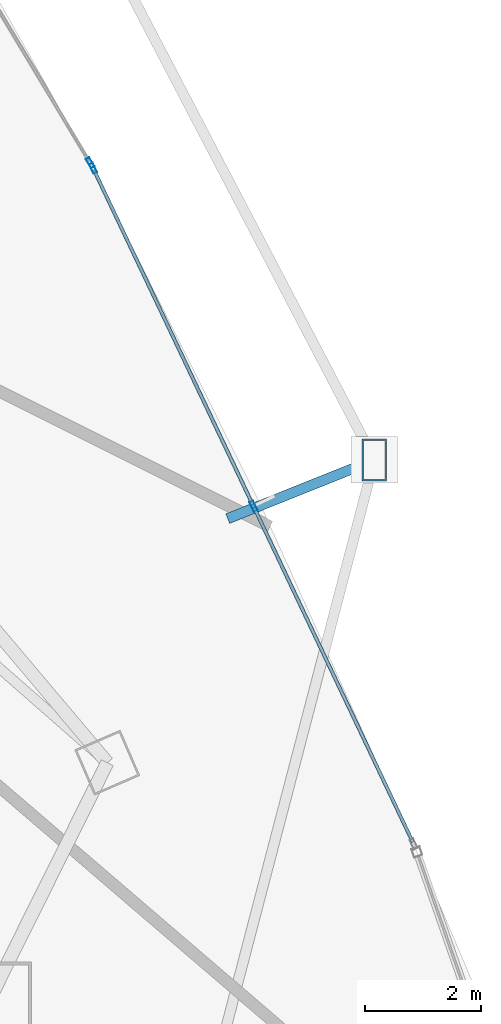
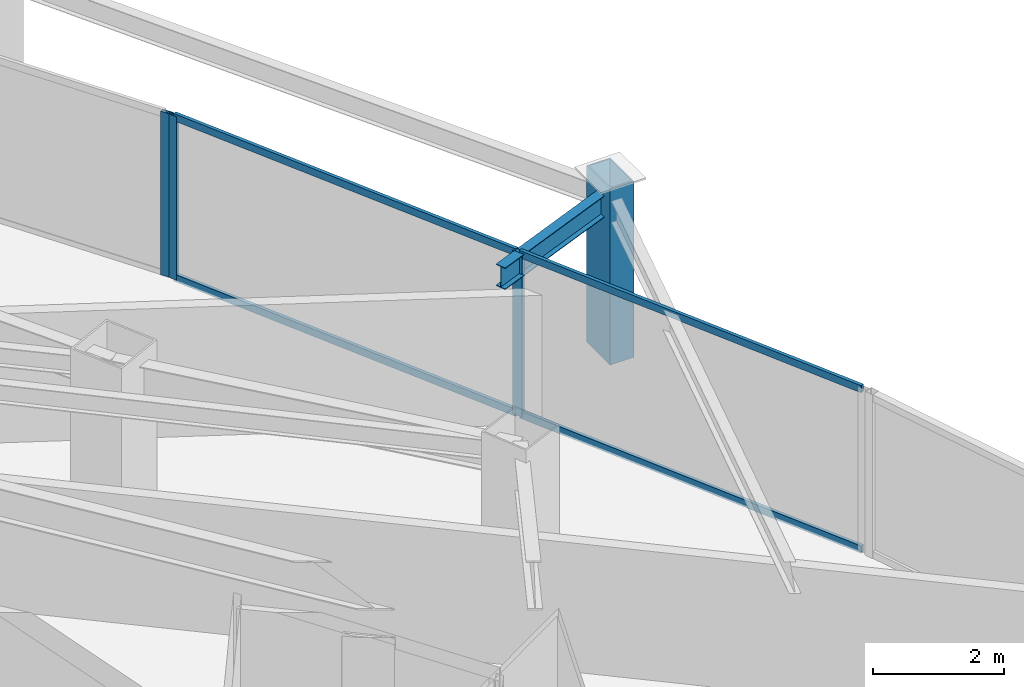
# One storey, part 19 of 35: 8 members, 1 beam, 2 elements without a shape of their own.
"""IFC4 building model written with IfcOpenShell, lengths in metres."""

import ifcopenshell
import ifcopenshell.guid

model = None  # the IFC model being written
_history = None  # IfcOwnerHistory: only IFC2X3 demands one
_inside = {}  # id of a spatial element -> (the spatial element, [elements in it])
_under = {}  # id of a project, library or spatial element -> (it, [spatial elements below it])
_declared = {}  # id of a project -> (the project, [libraries it declares])
_typed = {}  # id of a type object -> (the type object, [elements of that type])
_made_of = {}  # id of a material, layer set ... -> (it, [elements and type objects made of it])


def new_model(schema):
    """Start an empty IFC model of exactly this schema.

    Asked for "IFC4X3", IfcOpenShell would pick the latest addendum, in which some entities
    have other attributes; the version numbers below select the first issue.
    IFC2X3 requires an IfcOwnerHistory on every rooted entity: one is made here for all.
    """
    global model, _history
    if schema == "IFC4X3":
        model = ifcopenshell.file(schema_version=(4, 3, 0, 0))
    else:
        model = ifcopenshell.file(schema=schema)
    _inside.clear()
    _under.clear()
    _declared.clear()
    _typed.clear()
    _made_of.clear()
    _history = None
    if model.schema == "IFC2X3":
        org = make("IfcOrganization", Name="unknown")
        user = make(
            "IfcPersonAndOrganization",
            ThePerson=make("IfcPerson", FamilyName="unknown"),
            TheOrganization=org,
        )
        app = make(
            "IfcApplication",
            ApplicationDeveloper=org,
            Version="unknown",
            ApplicationFullName="unknown",
            ApplicationIdentifier="unknown",
        )
        _history = make(
            "IfcOwnerHistory",
            OwningUser=user,
            OwningApplication=app,
            ChangeAction="ADDED",
            CreationDate=0,
        )
    return model


def make(cls, **values):
    """One entity of the class cls with the attributes given. An attribute that is None is left unset."""
    return model.create_entity(
        cls, **{name: value for name, value in values.items() if value is not None}
    )


def rooted(cls, **values):
    """An entity with a GlobalId (a new one), such as an element, a storey or a relation."""
    return make(cls, GlobalId=ifcopenshell.guid.new(), OwnerHistory=_history, **values)


def si_unit(unit_type, name, prefix=None):
    """IfcSIUnit, for example si_unit("LENGTHUNIT", "METRE", prefix="MILLI")."""
    return make("IfcSIUnit", UnitType=unit_type, Prefix=prefix, Name=name)


def assignment(units):
    """IfcUnitAssignment: the units of a project."""
    return None if units is None else make("IfcUnitAssignment", Units=units)


def point(xyz):
    """IfcCartesianPoint."""
    return None if xyz is None else make("IfcCartesianPoint", Coordinates=xyz)


def direction(xyz):
    """IfcDirection."""
    return None if xyz is None else make("IfcDirection", DirectionRatios=xyz)


def frame(location, z_axis=None, x_axis=None):
    """IfcAxis2Placement3D, a coordinate frame: its origin and axes. An axis left out is left unset."""
    return make(
        "IfcAxis2Placement3D",
        Location=point(location),
        Axis=direction(z_axis),
        RefDirection=direction(x_axis),
    )


def frame_2d(location, x_axis=None):
    """IfcAxis2Placement2D, a coordinate frame in the plane: its origin and x axis."""
    return make(
        "IfcAxis2Placement2D", Location=point(location), RefDirection=direction(x_axis)
    )


def origin():
    """The frame at (0, 0, 0) with its axes left unset."""
    return frame((0.0, 0.0, 0.0))


def origin_2d():
    """The frame at (0, 0) in the plane with its x axis left unset."""
    return frame_2d((0.0, 0.0))


def place(relative_to, where):
    """IfcLocalPlacement: puts the frame where relative to a parent placement (None: the world)."""
    return make(
        "IfcLocalPlacement", PlacementRelTo=relative_to, RelativePlacement=where
    )


def context(
    kind, dimensions, precision=None, world=None, true_north=None, identifier=None
):
    """IfcGeometricRepresentationContext, for example the 3D "Model" context."""
    return make(
        "IfcGeometricRepresentationContext",
        ContextIdentifier=identifier,
        ContextType=kind,
        CoordinateSpaceDimension=dimensions,
        Precision=precision,
        WorldCoordinateSystem=world,
        TrueNorth=true_north,
    )


def subcontext(parent, identifier, kind, view, scale=None):
    """IfcGeometricRepresentationSubContext, for example "Body" below "Model"."""
    return make(
        "IfcGeometricRepresentationSubContext",
        ContextIdentifier=identifier,
        ContextType=kind,
        ParentContext=parent,
        TargetScale=scale,
        TargetView=view,
    )


def project(units=None, contexts=None):
    """IfcProject with its units and contexts."""
    return rooted(
        "IfcProject",
        Name="project",
        RepresentationContexts=contexts,
        UnitsInContext=assignment(units),
    )


def spatial(cls, under=None, at=None, **own):
    """A site, building, storey or space (cls), placed at a placement, below another one or the project."""
    s = rooted(cls, ObjectPlacement=at, **own)
    if under is not None:
        _under.setdefault(under.id(), (under, []))[1].append(s)
    return s


def profile(cls, at=None, kind="AREA", **sizes):
    """A parametric profile (cls). Its sizes go by their IFC names, for example OverallWidth=200.0."""
    return make(cls, ProfileType=kind, Position=at, **sizes)


def hollow_rectangle(**sizes):
    """IfcRectangleHollowProfileDef."""
    return profile("IfcRectangleHollowProfileDef", **sizes)


def i_section(**sizes):
    """IfcIShapeProfileDef."""
    return profile("IfcIShapeProfileDef", **sizes)


def extrude(swept, where, along, depth):
    """IfcExtrudedAreaSolid: the profile swept, set in the frame where, extruded along a direction by depth."""
    return make(
        "IfcExtrudedAreaSolid",
        SweptArea=swept,
        Position=where,
        ExtrudedDirection=direction(along),
        Depth=depth,
    )


def shape(context_of_items, identifier, shape_type, items):
    """IfcShapeRepresentation: the items that make up one representation, for example the "Body"."""
    return make(
        "IfcShapeRepresentation",
        ContextOfItems=context_of_items,
        RepresentationIdentifier=identifier,
        RepresentationType=shape_type,
        Items=items,
    )


def material(Name=None, Category=None):
    """IfcMaterial."""
    return make("IfcMaterial", Name=Name, Category=Category)


def layer(
    of_material, thickness, ventilated=None, Name=None, Category=None, Priority=None
):
    """IfcMaterialLayer: one layer of a wall or slab, of a material (None: an air gap)."""
    return make(
        "IfcMaterialLayer",
        Material=of_material,
        LayerThickness=thickness,
        IsVentilated=ventilated,
        Name=Name,
        Category=Category,
        Priority=Priority,
    )


def layer_set(layers, Name=None):
    """IfcMaterialLayerSet."""
    return make("IfcMaterialLayerSet", MaterialLayers=layers, LayerSetName=Name)


def material_profile(
    of_material, cross_section, Name=None, Category=None, Priority=None
):
    """IfcMaterialProfile: a cross section and its material."""
    return make(
        "IfcMaterialProfile",
        Name=Name,
        Material=of_material,
        Profile=cross_section,
        Priority=Priority,
        Category=Category,
    )


def profile_set(profiles, Name=None, composite=None):
    """IfcMaterialProfileSet."""
    return make(
        "IfcMaterialProfileSet",
        Name=Name,
        MaterialProfiles=profiles,
        CompositeProfile=composite,
    )


def made_of(thing, what):
    """Note that an element or type object is made of a material, layer set ...; save() writes the relation."""
    if what is not None:
        _made_of.setdefault(what.id(), (what, []))[1].append(thing)
    return thing


def type_object(cls, material=None, **own):
    """A type object (cls), such as IfcWallType, which elements share."""
    return made_of(rooted(cls, **own), material)


def element(
    cls,
    number,
    at=None,
    inside=None,
    cuts=None,
    type_object=None,
    material=None,
    context=None,
    identifier="Body",
    shape_type=None,
    held_by="IfcProductDefinitionShape",
    body=None,
    shapes=None,
    **own,
):
    """One element of the class cls, such as IfcWall. Its Tag is "e" and its number.

    at: its placement. inside: the storey or other place that contains it. cuts: it is an
    opening in that element (IfcRelVoidsElement). A single representation is given by context,
    identifier, shape_type and body (its items); several are given by shapes. held_by: the class
    of the entity that holds the representations. save() writes the other relations.
    """
    e = rooted(cls, Tag="e%d" % number, ObjectPlacement=at, **own)
    if body is not None:
        shapes = [shape(context, identifier, shape_type, body)]
    if shapes is not None:
        e.Representation = make(held_by, Representations=shapes)
    if inside is not None:
        _inside.setdefault(inside.id(), (inside, []))[1].append(e)
    if cuts is not None:
        rooted(
            "IfcRelVoidsElement", RelatingBuildingElement=cuts, RelatedOpeningElement=e
        )
    if type_object is not None:
        _typed.setdefault(type_object.id(), (type_object, []))[1].append(e)
    return made_of(e, material)


def aggregate(whole, parts):
    """IfcRelAggregates: a whole, such as a stair, and the parts it consists of."""
    return rooted("IfcRelAggregates", RelatingObject=whole, RelatedObjects=parts)


def save(model, path):
    """Write the relations noted so far, then the file.

    IfcRelAggregates (storeys below a building ...), IfcRelContainedInSpatialStructure (elements
    in a storey), IfcRelDefinesByType, IfcRelAssociatesMaterial and IfcRelDeclares: one each for
    every whole, place, type object, material and project.
    """
    for whole, parts in _under.values():
        aggregate(whole, parts)
    for where, things in _inside.values():
        rooted(
            "IfcRelContainedInSpatialStructure",
            RelatedElements=things,
            RelatingStructure=where,
        )
    for kind, things in _typed.values():
        rooted("IfcRelDefinesByType", RelatedObjects=things, RelatingType=kind)
    for what, things in _made_of.values():
        rooted("IfcRelAssociatesMaterial", RelatedObjects=things, RelatingMaterial=what)
    for by, libraries in _declared.values():
        rooted("IfcRelDeclares", RelatingContext=by, RelatedDefinitions=libraries)
    model.write(path)


model = new_model("IFC4")

# Units and contexts
model_context = context("Model", 3, precision=1e-05, world=origin(), true_north=direction((0.0, 1.0)))
body_context = subcontext(model_context, "Body", "Model", "MODEL_VIEW")
ifc_project = project(units=[si_unit("LENGTHUNIT", "METRE"), si_unit("AREAUNIT", "SQUARE_METRE"), si_unit("VOLUMEUNIT", "CUBIC_METRE"), si_unit("PLANEANGLEUNIT", "RADIAN"), si_unit("MASSUNIT", "GRAM", prefix="KILO")], contexts=[model_context])

# Site, building, storey
site_placement = place(None, origin())
site = spatial("IfcSite", under=ifc_project, at=site_placement, CompositionType="ELEMENT")
building_placement = place(site_placement, origin())
building = spatial("IfcBuilding", under=site, at=building_placement, Name="Orvanel Arch Residences", CompositionType="ELEMENT")
storey_placement = place(building_placement, frame((0.0, 0.0, 40.10009765625)))
storey = spatial("IfcBuildingStorey", under=building, at=storey_placement, Name="L10", CompositionType="ELEMENT", Elevation=40.10009765625)

# Member
ifc_material_1 = material(Name="Structural steel AS/NZS 3678 Grade 350", Category="steel")
ifc_material_profile_1 = material_profile(ifc_material_1, hollow_rectangle(XDim=0.419921875, YDim=0.719970703125, WallThickness=0.02490234375, at=origin_2d()), Name="RHS720x420x25")
ifc_profile_set_1 = profile_set([ifc_material_profile_1], Name="Structural steel AS/NZS 3678 Grade 350")
member_type_1 = type_object("IfcMemberType", Name="CH-720RHS-EXT", PredefinedType="CHORD", material=ifc_profile_set_1)
member_1_placement = place(storey_placement, frame((58.501953125, 19.7919921875, 0.0), z_axis=(0.0, 0.0, 1.0), x_axis=(1.0, 0.0, 0.0)))
element("IfcMember", 1, at=member_1_placement, inside=storey, type_object=member_type_1, Name="L10 Outer Perimeter Frame Post 09", PredefinedType="CHORD", context=body_context, shape_type="SweptSolid", body=[
    extrude(hollow_rectangle(XDim=0.419921875, YDim=0.719970703125, WallThickness=0.02490234375, at=origin_2d()), origin(), (0.0, 0.0, 1.0), 3.2998046875),
])

# Curtain wall, members
ifc_material_2 = material(Name="Bronze-anodised aluminium AA6063-T6", Category="aluminium")
ifc_layer = layer(ifc_material_2, 0.179931640625)
ifc_layer_set = layer_set([ifc_layer], Name="Bronze-anodised aluminium AA6063-T6")
curtain_wall_type = type_object("IfcCurtainWallType", Name="CW2-LOW-SYS", PredefinedType="NOTDEFINED", material=ifc_layer_set)
curtain_wall_1_placement = place(storey_placement, origin())
curtain_wall_1 = element("IfcCurtainWall", 2, at=curtain_wall_1_placement, inside=storey, type_object=curtain_wall_type, Name="L10 CW2-LOW-SYS Unitised Curtain Wall", PredefinedType="NOTDEFINED")
ifc_material_profile_2 = material_profile(ifc_material_2, hollow_rectangle(XDim=0.070068359375, YDim=0.179931640625, WallThickness=0.00439453125, at=origin_2d()), Name="ALU180x70x4.5")
ifc_profile_set_2 = profile_set([ifc_material_profile_2], Name="Bronze-anodised aluminium AA6063-T6")
member_type_2 = type_object("IfcMemberType", Name="MUL-180x70", PredefinedType="MULLION", material=ifc_profile_set_2)
member_2_placement = place(storey_placement, frame((56.42041015625, 18.9970703125, 0.0), z_axis=(0.0, 0.0, 1.0), x_axis=(-0.903506444237, -0.4285745037, 0.0)))
member_2 = element("IfcMember", 3, at=member_2_placement, type_object=member_type_2, Name="CW-S2 mullion 2", PredefinedType="MULLION", context=body_context, shape_type="SweptSolid", body=[
    extrude(hollow_rectangle(XDim=0.070068359375, YDim=0.179931640625, WallThickness=0.00439453125, at=origin_2d()), origin(), (0.0, 0.0, 1.0), 3.059814453125),
])
member_3_placement = place(storey_placement, frame((53.662109375, 24.812255859375, 0.0), z_axis=(0.0, 0.0, 1.0), x_axis=(-0.903506444237, -0.4285745037, 0.0)))
member_3 = element("IfcMember", 4, at=member_3_placement, type_object=member_type_2, Name="CW-S2 mullion 3", PredefinedType="MULLION", context=body_context, shape_type="SweptSolid", body=[
    extrude(hollow_rectangle(XDim=0.070068359375, YDim=0.179931640625, WallThickness=0.00439453125, at=origin_2d()), origin(), (0.0, 0.0, 1.0), 3.059814453125),
])

# Curtain wall, member
curtain_wall_2_placement = place(storey_placement, origin())
curtain_wall_2 = element("IfcCurtainWall", 5, at=curtain_wall_2_placement, inside=storey, type_object=curtain_wall_type, Name="L10 CW2-LOW-SYS Unitised Curtain Wall", PredefinedType="NOTDEFINED")
member_4_placement = place(storey_placement, frame((53.610107421875, 24.908935546875, 0.0), z_axis=(0.0, 0.0, 1.0), x_axis=(-0.857554559604, -0.514393018326, 0.0)))
member_4 = element("IfcMember", 6, at=member_4_placement, type_object=member_type_2, Name="CW-S2 mullion 1", PredefinedType="MULLION", context=body_context, shape_type="SweptSolid", body=[
    extrude(hollow_rectangle(XDim=0.070068359375, YDim=0.179931640625, WallThickness=0.00439453125, at=origin_2d()), origin(), (0.0, 0.0, 1.0), 3.059814453125),
])
aggregate(curtain_wall_2, [member_4])

# Beam
ifc_material_3 = material(Name="Structural steel AS/NZS 3679.1 Grade 300 (300 MPa)", Category="steel")
ifc_material_profile_3 = material_profile(ifc_material_3, i_section(OverallWidth=0.177978515625, OverallDepth=0.406005859375, WebThickness=0.0078125, FlangeThickness=0.0126953125, at=origin_2d()), Name="410UB59.7")
ifc_profile_set_3 = profile_set([ifc_material_profile_3], Name="Structural steel AS/NZS 3679.1 Grade 300 (300 MPa)")
beam_type = type_object("IfcBeamType", Name="OB-410UB-EXT", PredefinedType="SPANDREL", material=ifc_profile_set_3)
beam_placement = place(storey_placement, frame((55.97802734375, 18.781005859375, 2.85693359375), z_axis=(0.928296993052, 0.371839606135, 0.0), x_axis=(-0.371839606135, 0.928296993052, 0.0)))
element("IfcBeam", 7, at=beam_placement, inside=storey, type_object=beam_type, Name="L10 Outer Frame Radial Tie Beam 09", PredefinedType="SPANDREL", context=body_context, shape_type="SweptSolid", body=[
    extrude(i_section(OverallWidth=0.177978515625, OverallDepth=0.406005859375, WebThickness=0.0078125, FlangeThickness=0.0126953125, at=origin_2d()), origin(), (0.0, 0.0, 1.0), 2.718994140625),
])

# Member
ifc_material_profile_4 = material_profile(ifc_material_2, hollow_rectangle(XDim=0.06005859375, YDim=0.135009765625, WallThickness=0.00390625, at=origin_2d()), Name="ALU135x60x4")
ifc_profile_set_4 = profile_set([ifc_material_profile_4], Name="Bronze-anodised aluminium AA6063-T6")
member_type_3 = type_object("IfcMemberType", Name="TRN-135x60", PredefinedType="USERDEFINED", material=ifc_profile_set_4)
member_5_placement = place(storey_placement, frame((59.1640625, 13.213134765625, 0.02978515625), z_axis=(-0.428572568271, 0.903507362297, 0.0), x_axis=(-0.903507362297, -0.428572568271, 0.0)))
member_5 = element("IfcMember", 8, at=member_5_placement, type_object=member_type_3, Name="CW-S2 transom 1.1", ObjectType="TRANSOM", PredefinedType="USERDEFINED", context=body_context, shape_type="SweptSolid", body=[
    extrude(hollow_rectangle(XDim=0.06005859375, YDim=0.135009765625, WallThickness=0.00390625, at=origin_2d()), origin(), (0.0, 0.0, 1.0), 6.366455078125),
])

member_6_placement = place(storey_placement, frame((59.1640625, 13.213134765625, 3.02978515625), z_axis=(-0.428572568271, 0.903507362297, 0.0), x_axis=(-0.903507362297, -0.428572568271, 0.0)))
member_6 = element("IfcMember", 9, at=member_6_placement, type_object=member_type_3, Name="CW-S2 transom 1.2", ObjectType="TRANSOM", PredefinedType="USERDEFINED", context=body_context, shape_type="SweptSolid", body=[
    extrude(hollow_rectangle(XDim=0.06005859375, YDim=0.135009765625, WallThickness=0.00390625, at=origin_2d()), origin(), (0.0, 0.0, 1.0), 6.366455078125),
])

member_7_placement = place(storey_placement, frame((56.405517578125, 19.028564453125, 0.02978515625), z_axis=(-0.428572568271, 0.903507362297, 0.0), x_axis=(-0.903507362297, -0.428572568271, 0.0)))
member_7 = element("IfcMember", 10, at=member_7_placement, type_object=member_type_3, Name="CW-S2 transom 2.1", ObjectType="TRANSOM", PredefinedType="USERDEFINED", context=body_context, shape_type="SweptSolid", body=[
    extrude(hollow_rectangle(XDim=0.06005859375, YDim=0.135009765625, WallThickness=0.00390625, at=origin_2d()), origin(), (0.0, 0.0, 1.0), 6.366455078125),
])

member_8_placement = place(storey_placement, frame((56.405517578125, 19.028564453125, 3.02978515625), z_axis=(-0.428572568271, 0.903507362297, 0.0), x_axis=(-0.903507362297, -0.428572568271, 0.0)))
member_8 = element("IfcMember", 11, at=member_8_placement, type_object=member_type_3, Name="CW-S2 transom 2.2", ObjectType="TRANSOM", PredefinedType="USERDEFINED", context=body_context, shape_type="SweptSolid", body=[
    extrude(hollow_rectangle(XDim=0.06005859375, YDim=0.135009765625, WallThickness=0.00390625, at=origin_2d()), origin(), (0.0, 0.0, 1.0), 6.366455078125),
])

aggregate(curtain_wall_1, [member_2, member_3, member_5, member_6, member_7, member_8])

save(model, "model.ifc")
